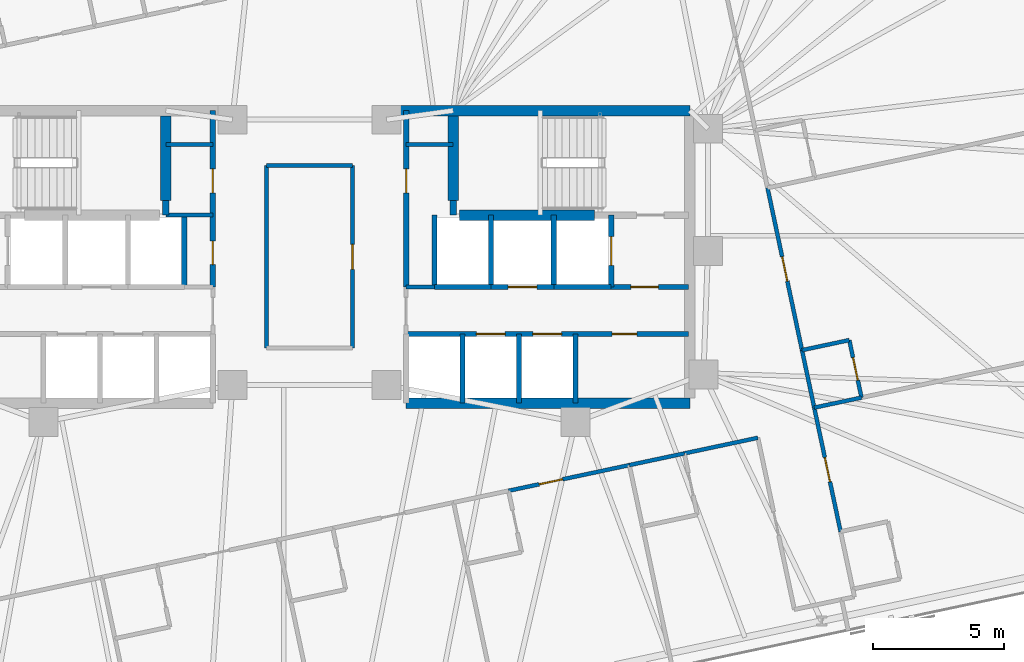
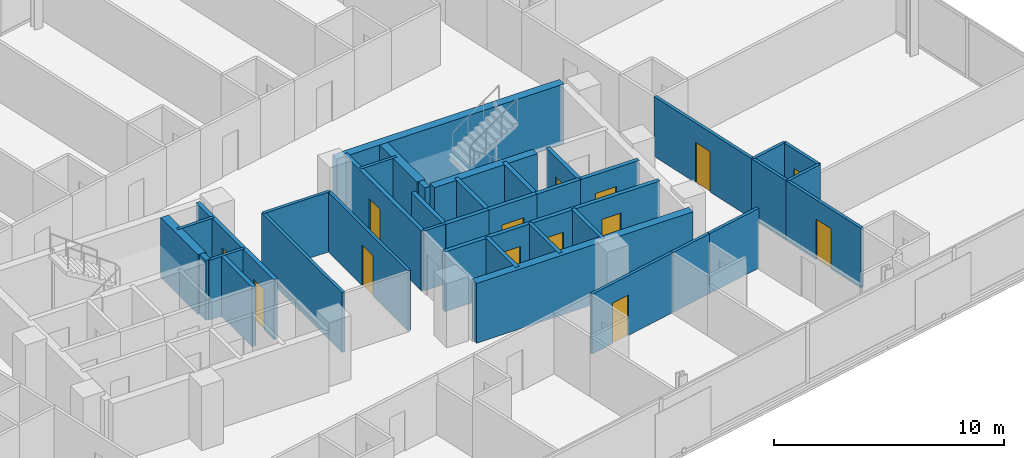
# One storey, part 16 of 20: 38 walls, 14 doors, 14 openings.
"""IFC4 building model written with IfcOpenShell, lengths in metres."""

import ifcopenshell
import ifcopenshell.guid

model = None  # the IFC model being written
_history = None  # IfcOwnerHistory: only IFC2X3 demands one
_inside = {}  # id of a spatial element -> (the spatial element, [elements in it])
_under = {}  # id of a project, library or spatial element -> (it, [spatial elements below it])
_declared = {}  # id of a project -> (the project, [libraries it declares])
_typed = {}  # id of a type object -> (the type object, [elements of that type])
_made_of = {}  # id of a material, layer set ... -> (it, [elements and type objects made of it])


def new_model(schema):
    """Start an empty IFC model of exactly this schema.

    Asked for "IFC4X3", IfcOpenShell would pick the latest addendum, in which some entities
    have other attributes; the version numbers below select the first issue.
    IFC2X3 requires an IfcOwnerHistory on every rooted entity: one is made here for all.
    """
    global model, _history
    if schema == "IFC4X3":
        model = ifcopenshell.file(schema_version=(4, 3, 0, 0))
    else:
        model = ifcopenshell.file(schema=schema)
    _inside.clear()
    _under.clear()
    _declared.clear()
    _typed.clear()
    _made_of.clear()
    _history = None
    if model.schema == "IFC2X3":
        org = make("IfcOrganization", Name="unknown")
        user = make(
            "IfcPersonAndOrganization",
            ThePerson=make("IfcPerson", FamilyName="unknown"),
            TheOrganization=org,
        )
        app = make(
            "IfcApplication",
            ApplicationDeveloper=org,
            Version="unknown",
            ApplicationFullName="unknown",
            ApplicationIdentifier="unknown",
        )
        _history = make(
            "IfcOwnerHistory",
            OwningUser=user,
            OwningApplication=app,
            ChangeAction="ADDED",
            CreationDate=0,
        )
    return model


def make(cls, **values):
    """One entity of the class cls with the attributes given. An attribute that is None is left unset."""
    return model.create_entity(
        cls, **{name: value for name, value in values.items() if value is not None}
    )


def rooted(cls, **values):
    """An entity with a GlobalId (a new one), such as an element, a storey or a relation."""
    return make(cls, GlobalId=ifcopenshell.guid.new(), OwnerHistory=_history, **values)


def si_unit(unit_type, name, prefix=None):
    """IfcSIUnit, for example si_unit("LENGTHUNIT", "METRE", prefix="MILLI")."""
    return make("IfcSIUnit", UnitType=unit_type, Prefix=prefix, Name=name)


def assignment(units):
    """IfcUnitAssignment: the units of a project."""
    return None if units is None else make("IfcUnitAssignment", Units=units)


def point(xyz):
    """IfcCartesianPoint."""
    return None if xyz is None else make("IfcCartesianPoint", Coordinates=xyz)


def direction(xyz):
    """IfcDirection."""
    return None if xyz is None else make("IfcDirection", DirectionRatios=xyz)


def frame(location, z_axis=None, x_axis=None):
    """IfcAxis2Placement3D, a coordinate frame: its origin and axes. An axis left out is left unset."""
    return make(
        "IfcAxis2Placement3D",
        Location=point(location),
        Axis=direction(z_axis),
        RefDirection=direction(x_axis),
    )


def frame_2d(location, x_axis=None):
    """IfcAxis2Placement2D, a coordinate frame in the plane: its origin and x axis."""
    return make(
        "IfcAxis2Placement2D", Location=point(location), RefDirection=direction(x_axis)
    )


def origin():
    """The frame at (0, 0, 0) with its axes left unset."""
    return frame((0.0, 0.0, 0.0))


def place(relative_to, where):
    """IfcLocalPlacement: puts the frame where relative to a parent placement (None: the world)."""
    return make(
        "IfcLocalPlacement", PlacementRelTo=relative_to, RelativePlacement=where
    )


def context(
    kind, dimensions, precision=None, world=None, true_north=None, identifier=None
):
    """IfcGeometricRepresentationContext, for example the 3D "Model" context."""
    return make(
        "IfcGeometricRepresentationContext",
        ContextIdentifier=identifier,
        ContextType=kind,
        CoordinateSpaceDimension=dimensions,
        Precision=precision,
        WorldCoordinateSystem=world,
        TrueNorth=true_north,
    )


def subcontext(parent, identifier, kind, view, scale=None):
    """IfcGeometricRepresentationSubContext, for example "Body" below "Model"."""
    return make(
        "IfcGeometricRepresentationSubContext",
        ContextIdentifier=identifier,
        ContextType=kind,
        ParentContext=parent,
        TargetScale=scale,
        TargetView=view,
    )


def project(units=None, contexts=None):
    """IfcProject with its units and contexts."""
    return rooted(
        "IfcProject",
        Name="project",
        RepresentationContexts=contexts,
        UnitsInContext=assignment(units),
    )


def spatial(cls, under=None, at=None, **own):
    """A site, building, storey or space (cls), placed at a placement, below another one or the project."""
    s = rooted(cls, ObjectPlacement=at, **own)
    if under is not None:
        _under.setdefault(under.id(), (under, []))[1].append(s)
    return s


def profile(cls, at=None, kind="AREA", **sizes):
    """A parametric profile (cls). Its sizes go by their IFC names, for example OverallWidth=200.0."""
    return make(cls, ProfileType=kind, Position=at, **sizes)


def rectangle(**sizes):
    """IfcRectangleProfileDef."""
    return profile("IfcRectangleProfileDef", **sizes)


def extrude(swept, where, along, depth):
    """IfcExtrudedAreaSolid: the profile swept, set in the frame where, extruded along a direction by depth."""
    return make(
        "IfcExtrudedAreaSolid",
        SweptArea=swept,
        Position=where,
        ExtrudedDirection=direction(along),
        Depth=depth,
    )


def shape(context_of_items, identifier, shape_type, items):
    """IfcShapeRepresentation: the items that make up one representation, for example the "Body"."""
    return make(
        "IfcShapeRepresentation",
        ContextOfItems=context_of_items,
        RepresentationIdentifier=identifier,
        RepresentationType=shape_type,
        Items=items,
    )


def material(Name=None, Category=None):
    """IfcMaterial."""
    return make("IfcMaterial", Name=Name, Category=Category)


def layer(
    of_material, thickness, ventilated=None, Name=None, Category=None, Priority=None
):
    """IfcMaterialLayer: one layer of a wall or slab, of a material (None: an air gap)."""
    return make(
        "IfcMaterialLayer",
        Material=of_material,
        LayerThickness=thickness,
        IsVentilated=ventilated,
        Name=Name,
        Category=Category,
        Priority=Priority,
    )


def layer_set(layers, Name=None):
    """IfcMaterialLayerSet."""
    return make("IfcMaterialLayerSet", MaterialLayers=layers, LayerSetName=Name)


def made_of(thing, what):
    """Note that an element or type object is made of a material, layer set ...; save() writes the relation."""
    if what is not None:
        _made_of.setdefault(what.id(), (what, []))[1].append(thing)
    return thing


def type_object(cls, material=None, **own):
    """A type object (cls), such as IfcWallType, which elements share."""
    return made_of(rooted(cls, **own), material)


def element(
    cls,
    number,
    at=None,
    inside=None,
    cuts=None,
    type_object=None,
    material=None,
    context=None,
    identifier="Body",
    shape_type=None,
    held_by="IfcProductDefinitionShape",
    body=None,
    shapes=None,
    **own,
):
    """One element of the class cls, such as IfcWall. Its Tag is "e" and its number.

    at: its placement. inside: the storey or other place that contains it. cuts: it is an
    opening in that element (IfcRelVoidsElement). A single representation is given by context,
    identifier, shape_type and body (its items); several are given by shapes. held_by: the class
    of the entity that holds the representations. save() writes the other relations.
    """
    e = rooted(cls, Tag="e%d" % number, ObjectPlacement=at, **own)
    if body is not None:
        shapes = [shape(context, identifier, shape_type, body)]
    if shapes is not None:
        e.Representation = make(held_by, Representations=shapes)
    if inside is not None:
        _inside.setdefault(inside.id(), (inside, []))[1].append(e)
    if cuts is not None:
        rooted(
            "IfcRelVoidsElement", RelatingBuildingElement=cuts, RelatedOpeningElement=e
        )
    if type_object is not None:
        _typed.setdefault(type_object.id(), (type_object, []))[1].append(e)
    return made_of(e, material)


def fill(opening, filler):
    """IfcRelFillsElement: the door or window that sits in an opening."""
    return rooted(
        "IfcRelFillsElement",
        RelatingOpeningElement=opening,
        RelatedBuildingElement=filler,
    )


def aggregate(whole, parts):
    """IfcRelAggregates: a whole, such as a stair, and the parts it consists of."""
    return rooted("IfcRelAggregates", RelatingObject=whole, RelatedObjects=parts)


def save(model, path):
    """Write the relations noted so far, then the file.

    IfcRelAggregates (storeys below a building ...), IfcRelContainedInSpatialStructure (elements
    in a storey), IfcRelDefinesByType, IfcRelAssociatesMaterial and IfcRelDeclares: one each for
    every whole, place, type object, material and project.
    """
    for whole, parts in _under.values():
        aggregate(whole, parts)
    for where, things in _inside.values():
        rooted(
            "IfcRelContainedInSpatialStructure",
            RelatedElements=things,
            RelatingStructure=where,
        )
    for kind, things in _typed.values():
        rooted("IfcRelDefinesByType", RelatedObjects=things, RelatingType=kind)
    for what, things in _made_of.values():
        rooted("IfcRelAssociatesMaterial", RelatedObjects=things, RelatingMaterial=what)
    for by, libraries in _declared.values():
        rooted("IfcRelDeclares", RelatingContext=by, RelatedDefinitions=libraries)
    model.write(path)


model = new_model("IFC4")

# Units and contexts
model_context = context("Model", 3, precision=1e-05, world=origin(), true_north=direction((0.0, 1.0)))
body_context = subcontext(model_context, "Body", "Model", "MODEL_VIEW")
ifc_project = project(units=[si_unit("LENGTHUNIT", "METRE"), si_unit("AREAUNIT", "SQUARE_METRE"), si_unit("VOLUMEUNIT", "CUBIC_METRE"), si_unit("PLANEANGLEUNIT", "RADIAN"), si_unit("MASSUNIT", "GRAM", prefix="KILO")], contexts=[model_context])

# Site, building, storey
site_placement = place(None, origin())
site = spatial("IfcSite", under=ifc_project, at=site_placement, CompositionType="ELEMENT")
building_placement = place(site_placement, origin())
building = spatial("IfcBuilding", under=site, at=building_placement, Name="Menara Jurai Vektor", CompositionType="ELEMENT")
storey_placement = place(building_placement, frame((0.0, 0.0, 158.199951171875)))
storey = spatial("IfcBuildingStorey", under=building, at=storey_placement, Name="L40", CompositionType="ELEMENT", Elevation=158.199951171875)

# Walls
ifc_material_1 = material(Name="Concrete C40/50", Category="concrete")
ifc_layer_1 = layer(ifc_material_1, 0.25)
ifc_layer_set_1 = layer_set([ifc_layer_1], Name="Concrete C40/50")
wall_type_1 = type_object("IfcWallType", Name="INT-WALL-CORE-250", PredefinedType="STANDARD", material=ifc_layer_set_1)
for number, where, z_axis, x_axis, name in (
    (1, (-5.5, 1.60009765625, 0.0), (0.0, 0.0, 1.0), (0.0, 1.0, 0.0), "Interior Wall IW-250 L40"),
    (2, (5.5, 1.60009765625, 0.0), (0.0, 0.0, 1.0), (0.0, 1.0, 0.0), "Interior Wall IW-250 L40"),
):
    element("IfcWall", number, at=place(storey_placement, frame(where, z_axis=z_axis, x_axis=x_axis)), inside=storey, type_object=wall_type_1, Name=name, PredefinedType="STANDARD", context=body_context, shape_type="SweptSolid", body=[
        extrude(rectangle(XDim=0.5498046875, YDim=0.25, at=frame_2d((0.27490234375, 0.0))), origin(), (0.0, 0.0, 1.0), 3.175048828125),
    ])

# Wall, opening, door
wall_1_placement = place(storey_placement, frame((11.550048828125, -1.14990234375, 0.0), z_axis=(0.0, 0.0, 1.0), x_axis=(0.0, 1.0, 0.0)))
wall_1 = element("IfcWall", 3, at=wall_1_placement, inside=storey, type_object=wall_type_1, Name="Interior Wall IW-250 L40", PredefinedType="STANDARD", context=body_context, shape_type="SweptSolid", body=[
    extrude(rectangle(XDim=2.75, YDim=0.199951171875, at=frame_2d((1.375, 0.0))), origin(), (0.0, 0.0, 1.0), 3.175048828125),
])
opening_1_placement = place(wall_1_placement, frame((0.824951171875, 0.0, 0.0)))
opening_1 = element("IfcOpeningElement", 4, at=opening_1_placement, cuts=wall_1, Name="Opening LD-L40-FL2", PredefinedType="OPENING", context=body_context, shape_type="SweptSolid", body=[
    extrude(rectangle(XDim=1.10009765625, YDim=2.14990234375, at=frame_2d((0.550048828125, 1.074951171875))), frame((0.0, 0.10986328125, 0.0), z_axis=(0.0, -1.0, 0.0), x_axis=(1.0, 0.0, 0.0)), (0.0, 0.0, 1.0), 0.219970703125),
])
ifc_material_2 = material(Name="Stainless Steel Sliding Lift Landing Door", Category="steel")
door_type_1 = type_object("IfcDoorType", Name="DR-LIFT-FIRE-1100", OperationType="NOTDEFINED", PredefinedType="DOOR", material=ifc_material_2)
door_1_placement = place(opening_1_placement, origin())
door_1 = element("IfcDoor", 5, at=door_1_placement, inside=storey, type_object=door_type_1, Name="Lift Landing Door FL2 L40", OperationType="SLIDING_TO_RIGHT", OverallHeight=2.14990234375, OverallWidth=1.10009765625, PredefinedType="DOOR", context=body_context, shape_type="SweptSolid", body=[
    extrude(rectangle(XDim=1.10009765625, YDim=2.14990234375, at=frame_2d((0.550048828125, 1.074951171875))), frame((0.0, 0.02490234375, 0.0), z_axis=(0.0, -1.0, 0.0), x_axis=(1.0, 0.0, 0.0)), (0.0, 0.0, 1.0), 0.050048828125),
])
fill(opening_1, door_1)

# Wall
wall_2_placement = place(storey_placement, frame((9.35009765625, -1.14990234375, 0.0), z_axis=(0.0, 0.0, 1.0), x_axis=(0.0, 1.0, 0.0)))
element("IfcWall", 6, at=wall_2_placement, inside=storey, type_object=wall_type_1, Name="Interior Wall IW-250 L40", PredefinedType="STANDARD", context=body_context, shape_type="SweptSolid", body=[
    extrude(rectangle(XDim=2.75, YDim=0.199951171875, at=frame_2d((1.375, 0.0))), origin(), (0.0, 0.0, 1.0), 3.175048828125),
])

# Wall, opening, door
wall_3_placement = place(storey_placement, frame((11.550048828125, -1.14990234375, 0.0), z_axis=(0.0, 0.0, 1.0), x_axis=(1.0, 0.0, 0.0)))
wall_3 = element("IfcWall", 7, at=wall_3_placement, inside=storey, type_object=wall_type_1, Name="Interior Wall IW-250 L40", PredefinedType="STANDARD", context=body_context, shape_type="SweptSolid", body=[
    extrude(rectangle(XDim=2.949951171875, YDim=0.199951171875, at=frame_2d((1.47509765625, 0.0))), origin(), (0.0, 0.0, 1.0), 3.175048828125),
])
opening_2_placement = place(wall_3_placement, frame((0.75, 0.0, 0.0)))
opening_2 = element("IfcOpeningElement", 8, at=opening_2_placement, cuts=wall_3, Name="Opening D-L40-FFE", PredefinedType="OPENING", context=body_context, shape_type="SweptSolid", body=[
    extrude(rectangle(XDim=1.050048828125, YDim=2.179931640625, at=frame_2d((0.52490234375, 1.08984375))), frame((0.0, 0.10986328125, 0.0), z_axis=(0.0, -1.0, 0.0), x_axis=(1.0, 0.0, 0.0)), (0.0, 0.0, 1.0), 0.219970703125),
])
ifc_material_3 = material(Name="Fire-Rated Timber Door", Category="wood")
door_type_2 = type_object("IfcDoorType", Name="DR-LOBBY-1050", OperationType="NOTDEFINED", PredefinedType="DOOR", material=ifc_material_3)
door_2_placement = place(opening_2_placement, origin())
door_2 = element("IfcDoor", 9, at=door_2_placement, inside=storey, type_object=door_type_2, Name="Fire Lift Lobby Door E L40", OperationType="SINGLE_SWING_LEFT", OverallHeight=2.179931640625, OverallWidth=1.050048828125, PredefinedType="DOOR", context=body_context, shape_type="SweptSolid", body=[
    extrude(rectangle(XDim=1.050048828125, YDim=2.179931640625, at=frame_2d((0.52490234375, 1.08984375))), frame((0.0, 0.02490234375, 0.0), z_axis=(0.0, -1.0, 0.0), x_axis=(1.0, 0.0, 0.0)), (0.0, 0.0, 1.0), 0.050048828125),
])
fill(opening_2, door_2)

# Walls
wall_4_placement = place(storey_placement, frame((9.35009765625, -1.14990234375, 0.0), z_axis=(0.0, 0.0, 1.0), x_axis=(1.0, 0.0, 0.0)))
element("IfcWall", 10, at=wall_4_placement, inside=storey, type_object=wall_type_1, Name="Interior Wall IW-250 L40", PredefinedType="STANDARD", context=body_context, shape_type="SweptSolid", body=[
    extrude(rectangle(XDim=2.199951171875, YDim=0.199951171875, at=frame_2d((1.10009765625, 0.0))), origin(), (0.0, 0.0, 1.0), 3.175048828125),
])
ifc_material_4 = material(Name="Gypsum Fireboard Partition", Category="gypsum")
ifc_layer_2 = layer(ifc_material_4, 0.14990234375)
ifc_layer_set_2 = layer_set([ifc_layer_2], Name="Gypsum Fireboard Partition")
wall_type_2 = type_object("IfcWallType", Name="INT-WALL-CORR-150", PredefinedType="PARTITIONING", material=ifc_layer_set_2)
wall_5_placement = place(storey_placement, frame((3.699951171875, -1.14990234375, 0.0), z_axis=(0.0, 0.0, 1.0), x_axis=(1.0, 0.0, 0.0)))
element("IfcWall", 11, at=wall_5_placement, inside=storey, type_object=wall_type_2, Name="Interior Wall IW-150 L40", PredefinedType="PARTITIONING", context=body_context, shape_type="SweptSolid", body=[
    extrude(rectangle(XDim=1.090087890625, YDim=0.14990234375, at=frame_2d((0.544921875, 0.0))), origin(), (0.0, 0.0, 1.0), 3.175048828125),
])
for number, where, z_axis, x_axis, name in (
    (12, (-5.5, 4.300048828125, 0.0), (0.0, 0.0, 1.0), (1.0, 0.0, 0.0), "Interior Wall IW-150 L40"),
    (13, (-5.5, 1.60009765625, 0.0), (0.0, 0.0, 1.0), (1.0, 0.0, 0.0), "Interior Wall IW-150 L40"),
    (14, (3.699951171875, 4.300048828125, 0.0), (0.0, 0.0, 1.0), (1.0, 0.0, 0.0), "Interior Wall IW-150 L40"),
):
    element("IfcWall", number, at=place(storey_placement, frame(where, z_axis=z_axis, x_axis=x_axis)), inside=storey, type_object=wall_type_2, Name=name, PredefinedType="PARTITIONING", context=body_context, shape_type="SweptSolid", body=[
        extrude(rectangle(XDim=1.800048828125, YDim=0.14990234375, at=frame_2d((0.89990234375, 0.0))), origin(), (0.0, 0.0, 1.0), 3.175048828125),
    ])
wall_6_placement = place(storey_placement, frame((-1.64990234375, -3.489501953125, 0.0), z_axis=(0.0, 0.0, 1.0), x_axis=(-3.4979712e-05, 0.999999999388, 0.0)))
element("IfcWall", 15, at=wall_6_placement, inside=storey, type_object=wall_type_2, Name="Interior Wall IW-150 L40", PredefinedType="PARTITIONING", context=body_context, shape_type="SweptSolid", body=[
    extrude(rectangle(XDim=6.9794921875, YDim=0.14990234375, at=frame_2d((3.48974609375, 0.0))), origin(), (0.0, 0.0, 1.0), 3.175048828125),
])
wall_7_placement = place(storey_placement, frame((-1.650146484375, 3.489990234375, 0.0), z_axis=(0.0, 0.0, 1.0), x_axis=(1.0, 0.0, 0.0)))
element("IfcWall", 16, at=wall_7_placement, inside=storey, type_object=wall_type_2, Name="Interior Wall IW-150 L40", PredefinedType="PARTITIONING", context=body_context, shape_type="SweptSolid", body=[
    extrude(rectangle(XDim=3.300048828125, YDim=0.14990234375, at=frame_2d((1.64990234375, 0.0))), origin(), (0.0, 0.0, 1.0), 3.175048828125),
])

# Wall, opening, door
wall_8_placement = place(storey_placement, frame((1.650390625, -3.490234375, 0.0), z_axis=(0.0, 0.0, 1.0), x_axis=(-6.9952083e-05, 0.999999997553, 0.0)))
wall_8 = element("IfcWall", 17, at=wall_8_placement, inside=storey, type_object=wall_type_2, Name="Interior Wall IW-150 L40", PredefinedType="PARTITIONING", context=body_context, shape_type="SweptSolid", body=[
    extrude(rectangle(XDim=6.980224609375, YDim=0.14990234375, at=frame_2d((3.490234375, 0.0))), origin(), (0.0, 0.0, 1.0), 3.175048828125),
])
opening_3_placement = place(wall_8_placement, frame((3.01513671875, 0.0, 0.0)))
opening_3 = element("IfcOpeningElement", 18, at=opening_3_placement, cuts=wall_8, Name="Opening D40-06", PredefinedType="OPENING", context=body_context, shape_type="SweptSolid", body=[
    extrude(rectangle(XDim=0.949951171875, YDim=2.14990234375, at=frame_2d((0.47509765625, 1.074951171875))), frame((0.0, 0.0849609375, 0.0), z_axis=(0.0, -1.0, 0.0), x_axis=(1.0, 0.0, 0.0)), (0.0, 0.0, 1.0), 0.169921875),
])
ifc_material_5 = material(Name="Solid Core Timber Fire Door", Category="wood")
door_type_3 = type_object("IfcDoorType", Name="DR-ENTRY-950", OperationType="NOTDEFINED", PredefinedType="DOOR", material=ifc_material_5)
door_3_placement = place(opening_3_placement, origin())
door_3 = element("IfcDoor", 19, at=door_3_placement, inside=storey, type_object=door_type_3, Name="Interior Door D40-06", OperationType="SINGLE_SWING_LEFT", OverallHeight=2.14990234375, OverallWidth=0.949951171875, PredefinedType="DOOR", context=body_context, shape_type="SweptSolid", body=[
    extrude(rectangle(XDim=0.949951171875, YDim=2.14990234375, at=frame_2d((0.47509765625, 1.074951171875))), frame((0.0, 0.02490234375, 0.0), z_axis=(0.0, -1.0, 0.0), x_axis=(1.0, 0.0, 0.0)), (0.0, 0.0, 1.0), 0.050048828125),
])
fill(opening_3, door_3)

wall_9_placement = place(storey_placement, frame((7.61767578125, -8.9541015625, 0.0), z_axis=(0.0, 0.0, 1.0), x_axis=(0.978140347221, 0.207945812984, 0.0)))
wall_9 = element("IfcWall", 20, at=wall_9_placement, inside=storey, type_object=wall_type_2, Name="Interior Wall IW-150 L40", PredefinedType="PARTITIONING", context=body_context, shape_type="SweptSolid", body=[
    extrude(rectangle(XDim=4.72900390625, YDim=0.14990234375, at=frame_2d((2.364501953125, 0.0))), origin(), (0.0, 0.0, 1.0), 3.175048828125),
])
opening_4_placement = place(wall_9_placement, frame((1.1953125, 0.0, 0.0)))
opening_4 = element("IfcOpeningElement", 21, at=opening_4_placement, cuts=wall_9, Name="Opening D40-23", PredefinedType="OPENING", context=body_context, shape_type="SweptSolid", body=[
    extrude(rectangle(XDim=0.919921875, YDim=2.14990234375, at=frame_2d((0.4599609375, 1.074951171875))), frame((0.0, 0.0849609375, 0.0), z_axis=(0.0, -1.0, 0.0), x_axis=(1.0, 0.0, 0.0)), (0.0, 0.0, 1.0), 0.169921875),
])
door_4_placement = place(opening_4_placement, origin())
door_4 = element("IfcDoor", 22, at=door_4_placement, inside=storey, type_object=door_type_3, Name="Interior Door D40-23", OperationType="SINGLE_SWING_RIGHT", OverallHeight=2.14990234375, OverallWidth=0.919921875, PredefinedType="DOOR", context=body_context, shape_type="SweptSolid", body=[
    extrude(rectangle(XDim=0.919921875, YDim=2.14990234375, at=frame_2d((0.4599609375, 1.074951171875))), frame((0.0, 0.02490234375, 0.0), z_axis=(0.0, -1.0, 0.0), x_axis=(1.0, 0.0, 0.0)), (0.0, 0.0, 1.0), 0.050048828125),
])
fill(opening_4, door_4)

# Walls
wall_10_placement = place(storey_placement, frame((14.346435546875, -7.523681640625, 0.0), z_axis=(0.0, 0.0, 1.0), x_axis=(0.97816208355, 0.207843542851, 0.0)))
element("IfcWall", 23, at=wall_10_placement, inside=storey, type_object=wall_type_2, Name="Interior Wall IW-150 L40", PredefinedType="PARTITIONING", context=body_context, shape_type="SweptSolid", body=[
    extrude(rectangle(XDim=2.879150390625, YDim=0.14990234375, at=frame_2d((1.439453125, 0.0))), origin(), (0.0, 0.0, 1.0), 3.175048828125),
])
wall_11_placement = place(storey_placement, frame((12.243408203125, -7.970703125, 0.0), z_axis=(0.0, 0.0, 1.0), x_axis=(0.978146728319, 0.207915795165, 0.0)))
element("IfcWall", 24, at=wall_11_placement, inside=storey, type_object=wall_type_2, Name="Interior Wall IW-150 L40", PredefinedType="PARTITIONING", context=body_context, shape_type="SweptSolid", body=[
    extrude(rectangle(XDim=2.14990234375, YDim=0.14990234375, at=frame_2d((1.074951171875, 0.0))), origin(), (0.0, 0.0, 1.0), 3.175048828125),
])

# Wall, opening, door
wall_12_placement = place(storey_placement, frame((20.328125, -10.515380859375, 0.0), z_axis=(0.0, 0.0, 1.0), x_axis=(-0.207950868925, 0.97813927235, 0.0)))
wall_12 = element("IfcWall", 25, at=wall_12_placement, inside=storey, type_object=wall_type_2, Name="Interior Wall IW-150 L40", PredefinedType="PARTITIONING", context=body_context, shape_type="SweptSolid", body=[
    extrude(rectangle(XDim=4.849853515625, YDim=0.14990234375, at=frame_2d((2.4248046875, 0.0))), origin(), (0.0, 0.0, 1.0), 3.175048828125),
])
opening_5_placement = place(wall_12_placement, frame((1.949951171875, 0.0, 0.0)))
opening_5 = element("IfcOpeningElement", 26, at=opening_5_placement, cuts=wall_12, Name="Opening D40-37", PredefinedType="OPENING", context=body_context, shape_type="SweptSolid", body=[
    extrude(rectangle(XDim=0.949951171875, YDim=2.14990234375, at=frame_2d((0.47509765625, 1.074951171875))), frame((0.0, 0.0849609375, 0.0), z_axis=(0.0, -1.0, 0.0), x_axis=(1.0, 0.0, 0.0)), (0.0, 0.0, 1.0), 0.169921875),
])
door_5_placement = place(opening_5_placement, origin())
door_5 = element("IfcDoor", 27, at=door_5_placement, inside=storey, type_object=door_type_3, Name="Interior Door D40-37", OperationType="SINGLE_SWING_RIGHT", OverallHeight=2.14990234375, OverallWidth=0.949951171875, PredefinedType="DOOR", context=body_context, shape_type="SweptSolid", body=[
    extrude(rectangle(XDim=0.949951171875, YDim=2.14990234375, at=frame_2d((0.47509765625, 1.074951171875))), frame((0.0, 0.02490234375, 0.0), z_axis=(0.0, -1.0, 0.0), x_axis=(1.0, 0.0, 0.0)), (0.0, 0.0, 1.0), 0.050048828125),
])
fill(opening_5, door_5)

wall_13_placement = place(storey_placement, frame((18.851806640625, -3.57080078125, 0.0), z_axis=(0.0, 0.0, 1.0), x_axis=(-0.207879907349, 0.978154355979, 0.0)))
wall_13 = element("IfcWall", 28, at=wall_13_placement, inside=storey, type_object=wall_type_2, Name="Interior Wall IW-150 L40", PredefinedType="PARTITIONING", context=body_context, shape_type="SweptSolid", body=[
    extrude(rectangle(XDim=6.35009765625, YDim=0.14990234375, at=frame_2d((3.175048828125, 0.0))), origin(), (0.0, 0.0, 1.0), 3.175048828125),
])
opening_6_placement = place(wall_13_placement, frame((2.699951171875, 0.0, 0.0)))
opening_6 = element("IfcOpeningElement", 29, at=opening_6_placement, cuts=wall_13, Name="Opening D40-39", PredefinedType="OPENING", context=body_context, shape_type="SweptSolid", body=[
    extrude(rectangle(XDim=0.949951171875, YDim=2.14990234375, at=frame_2d((0.47509765625, 1.074951171875))), frame((0.0, 0.0849609375, 0.0), z_axis=(0.0, -1.0, 0.0), x_axis=(1.0, 0.0, 0.0)), (0.0, 0.0, 1.0), 0.169921875),
])
door_6_placement = place(opening_6_placement, origin())
door_6 = element("IfcDoor", 30, at=door_6_placement, inside=storey, type_object=door_type_3, Name="Interior Door D40-39", OperationType="SINGLE_SWING_RIGHT", OverallHeight=2.14990234375, OverallWidth=0.949951171875, PredefinedType="DOOR", context=body_context, shape_type="SweptSolid", body=[
    extrude(rectangle(XDim=0.949951171875, YDim=2.14990234375, at=frame_2d((0.47509765625, 1.074951171875))), frame((0.0, 0.02490234375, 0.0), z_axis=(0.0, -1.0, 0.0), x_axis=(1.0, 0.0, 0.0)), (0.0, 0.0, 1.0), 0.050048828125),
])
fill(opening_6, door_6)

# Walls
wall_14_placement = place(storey_placement, frame((19.319580078125, -5.771484375, 0.0), z_axis=(0.0, 0.0, 1.0), x_axis=(-0.207913264065, 0.978147266328, 0.0)))
element("IfcWall", 31, at=wall_14_placement, inside=storey, type_object=wall_type_2, Name="Interior Wall IW-150 L40", PredefinedType="PARTITIONING", context=body_context, shape_type="SweptSolid", body=[
    extrude(rectangle(XDim=2.249755859375, YDim=0.14990234375, at=frame_2d((1.125, 0.0))), origin(), (0.0, 0.0, 1.0), 3.175048828125),
])
wall_15_placement = place(storey_placement, frame((19.319580078125, -5.771484375, 0.0), z_axis=(0.0, 0.0, 1.0), x_axis=(0.978165892835, 0.207825614625, 0.0)))
element("IfcWall", 32, at=wall_15_placement, inside=storey, type_object=wall_type_2, Name="Interior Wall IW-150 L40", PredefinedType="PARTITIONING", context=body_context, shape_type="SweptSolid", body=[
    extrude(rectangle(XDim=1.85009765625, YDim=0.14990234375, at=frame_2d((0.925048828125, 0.0))), origin(), (0.0, 0.0, 1.0), 3.175048828125),
])
wall_16_placement = place(storey_placement, frame((18.851806640625, -3.57080078125, 0.0), z_axis=(0.0, 0.0, 1.0), x_axis=(0.978139061018, 0.207951862966, 0.0)))
element("IfcWall", 33, at=wall_16_placement, inside=storey, type_object=wall_type_2, Name="Interior Wall IW-150 L40", PredefinedType="PARTITIONING", context=body_context, shape_type="SweptSolid", body=[
    extrude(rectangle(XDim=1.850341796875, YDim=0.14990234375, at=frame_2d((0.92529296875, 0.0))), origin(), (0.0, 0.0, 1.0), 3.175048828125),
])

# Wall, opening, door
wall_17_placement = place(storey_placement, frame((21.12939453125, -5.386962890625, 0.0), z_axis=(0.0, 0.0, 1.0), x_axis=(-0.207891197838, 0.978151956427, 0.0)))
wall_17 = element("IfcWall", 34, at=wall_17_placement, inside=storey, type_object=wall_type_2, Name="Interior Wall IW-150 L40", PredefinedType="PARTITIONING", context=body_context, shape_type="SweptSolid", body=[
    extrude(rectangle(XDim=2.25, YDim=0.14990234375, at=frame_2d((1.125, 0.0))), origin(), (0.0, 0.0, 1.0), 3.175048828125),
])
opening_7_placement = place(wall_17_placement, frame((0.68505859375, 0.0, 0.0)))
opening_7 = element("IfcOpeningElement", 35, at=opening_7_placement, cuts=wall_17, Name="Opening D40-40", PredefinedType="OPENING", context=body_context, shape_type="SweptSolid", body=[
    extrude(rectangle(XDim=0.8798828125, YDim=2.14990234375, at=frame_2d((0.43994140625, 1.074951171875))), frame((0.0, 0.0849609375, 0.0), z_axis=(0.0, -1.0, 0.0), x_axis=(1.0, 0.0, 0.0)), (0.0, 0.0, 1.0), 0.169921875),
])
ifc_material_6 = material(Name="Moisture-Resistant Timber Door", Category="wood")
door_type_4 = type_object("IfcDoorType", Name="DR-BATH-880", OperationType="NOTDEFINED", PredefinedType="DOOR", material=ifc_material_6)
door_7_placement = place(opening_7_placement, origin())
door_7 = element("IfcDoor", 36, at=door_7_placement, inside=storey, type_object=door_type_4, Name="Interior Door D40-40", OperationType="SINGLE_SWING_LEFT", OverallHeight=2.14990234375, OverallWidth=0.8798828125, PredefinedType="DOOR", context=body_context, shape_type="SweptSolid", body=[
    extrude(rectangle(XDim=0.8798828125, YDim=2.14990234375, at=frame_2d((0.43994140625, 1.074951171875))), frame((0.0, 0.02490234375, 0.0), z_axis=(0.0, -1.0, 0.0), x_axis=(1.0, 0.0, 0.0)), (0.0, 0.0, 1.0), 0.050048828125),
])
fill(opening_7, door_7)

# Wall, openings, doors
ifc_layer_3 = layer(ifc_material_1, 0.199951171875)
ifc_layer_set_3 = layer_set([ifc_layer_3], Name="Concrete C40/50")
wall_type_3 = type_object("IfcWallType", Name="INT-WALL-SHAFT-200", PredefinedType="STANDARD", material=ifc_layer_set_3)
wall_18_placement = place(storey_placement, frame((-3.699951171875, -1.14990234375, 0.0), z_axis=(0.0, 0.0, 1.0), x_axis=(0.0, 1.0, 0.0)))
wall_18 = element("IfcWall", 37, at=wall_18_placement, inside=storey, type_object=wall_type_3, Name="Interior Wall IW-200 L40", PredefinedType="STANDARD", context=body_context, shape_type="SweptSolid", body=[
    extrude(rectangle(XDim=6.75, YDim=0.199951171875, at=frame_2d((3.375, 0.0))), origin(), (0.0, 0.0, 1.0), 3.175048828125),
])
opening_8_placement = place(wall_18_placement, frame((3.60009765625, 0.0, 0.0)))
opening_8 = element("IfcOpeningElement", 38, at=opening_8_placement, cuts=wall_18, Name="Opening D40-02", PredefinedType="OPENING", context=body_context, shape_type="SweptSolid", body=[
    extrude(rectangle(XDim=0.919921875, YDim=2.14990234375, at=frame_2d((0.4599609375, 1.074951171875))), frame((0.0, 0.10986328125, 0.0), z_axis=(0.0, -1.0, 0.0), x_axis=(1.0, 0.0, 0.0)), (0.0, 0.0, 1.0), 0.219970703125),
])
opening_9_placement = place(wall_18_placement, frame((0.85009765625, 0.0, 0.0)))
opening_9 = element("IfcOpeningElement", 39, at=opening_9_placement, cuts=wall_18, Name="Opening D40-03", PredefinedType="OPENING", context=body_context, shape_type="SweptSolid", body=[
    extrude(rectangle(XDim=0.89990234375, YDim=2.14990234375, at=frame_2d((0.449951171875, 1.074951171875))), frame((0.0, 0.10986328125, 0.0), z_axis=(0.0, -1.0, 0.0), x_axis=(1.0, 0.0, 0.0)), (0.0, 0.0, 1.0), 0.219970703125),
])
door_8_placement = place(opening_8_placement, origin())
door_8 = element("IfcDoor", 40, at=door_8_placement, inside=storey, type_object=door_type_3, Name="Interior Door D40-02", OperationType="SINGLE_SWING_LEFT", OverallHeight=2.14990234375, OverallWidth=0.919921875, PredefinedType="DOOR", context=body_context, shape_type="SweptSolid", body=[
    extrude(rectangle(XDim=0.919921875, YDim=2.14990234375, at=frame_2d((0.4599609375, 1.074951171875))), frame((0.0, 0.02490234375, 0.0), z_axis=(0.0, -1.0, 0.0), x_axis=(1.0, 0.0, 0.0)), (0.0, 0.0, 1.0), 0.050048828125),
])
fill(opening_8, door_8)
door_9_placement = place(opening_9_placement, origin())
door_9 = element("IfcDoor", 41, at=door_9_placement, inside=storey, type_object=door_type_3, Name="Interior Door D40-03", OperationType="SINGLE_SWING_LEFT", OverallHeight=2.14990234375, OverallWidth=0.89990234375, PredefinedType="DOOR", context=body_context, shape_type="SweptSolid", body=[
    extrude(rectangle(XDim=0.89990234375, YDim=2.14990234375, at=frame_2d((0.449951171875, 1.074951171875))), frame((0.0, 0.02490234375, 0.0), z_axis=(0.0, -1.0, 0.0), x_axis=(1.0, 0.0, 0.0)), (0.0, 0.0, 1.0), 0.050048828125),
])
fill(opening_9, door_9)

# Wall
wall_19_placement = place(storey_placement, frame((-4.7900390625, -1.14990234375, 0.0), z_axis=(0.0, 0.0, 1.0), x_axis=(0.0, 1.0, 0.0)))
element("IfcWall", 42, at=wall_19_placement, inside=storey, type_object=wall_type_3, Name="Interior Wall IW-200 L40", PredefinedType="STANDARD", context=body_context, shape_type="SweptSolid", body=[
    extrude(rectangle(XDim=2.75, YDim=0.199951171875, at=frame_2d((1.375, 0.0))), origin(), (0.0, 0.0, 1.0), 3.175048828125),
])

# Wall, opening, door
wall_20_placement = place(storey_placement, frame((3.699951171875, -1.14990234375, 0.0), z_axis=(0.0, 0.0, 1.0), x_axis=(0.0, 1.0, 0.0)))
wall_20 = element("IfcWall", 43, at=wall_20_placement, inside=storey, type_object=wall_type_3, Name="Interior Wall IW-200 L40", PredefinedType="STANDARD", context=body_context, shape_type="SweptSolid", body=[
    extrude(rectangle(XDim=6.75, YDim=0.199951171875, at=frame_2d((3.375, 0.0))), origin(), (0.0, 0.0, 1.0), 3.175048828125),
])
opening_10_placement = place(wall_20_placement, frame((3.60009765625, 0.0, 0.0)))
opening_10 = element("IfcOpeningElement", 44, at=opening_10_placement, cuts=wall_20, Name="Opening D40-05", PredefinedType="OPENING", context=body_context, shape_type="SweptSolid", body=[
    extrude(rectangle(XDim=0.919921875, YDim=2.14990234375, at=frame_2d((0.4599609375, 1.074951171875))), frame((0.0, 0.10986328125, 0.0), z_axis=(0.0, -1.0, 0.0), x_axis=(1.0, 0.0, 0.0)), (0.0, 0.0, 1.0), 0.219970703125),
])
door_10_placement = place(opening_10_placement, origin())
door_10 = element("IfcDoor", 45, at=door_10_placement, inside=storey, type_object=door_type_3, Name="Interior Door D40-05", OperationType="SINGLE_SWING_RIGHT", OverallHeight=2.14990234375, OverallWidth=0.919921875, PredefinedType="DOOR", context=body_context, shape_type="SweptSolid", body=[
    extrude(rectangle(XDim=0.919921875, YDim=2.14990234375, at=frame_2d((0.4599609375, 1.074951171875))), frame((0.0, 0.02490234375, 0.0), z_axis=(0.0, -1.0, 0.0), x_axis=(1.0, 0.0, 0.0)), (0.0, 0.0, 1.0), 0.050048828125),
])
fill(opening_10, door_10)

# Wall
wall_21_placement = place(storey_placement, frame((6.949951171875, -1.14990234375, 0.0), z_axis=(0.0, 0.0, 1.0), x_axis=(0.0, 1.0, 0.0)))
element("IfcWall", 46, at=wall_21_placement, inside=storey, type_object=wall_type_3, Name="Interior Wall IW-200 L40", PredefinedType="STANDARD", context=body_context, shape_type="SweptSolid", body=[
    extrude(rectangle(XDim=2.75, YDim=0.199951171875, at=frame_2d((1.375, 0.0))), origin(), (0.0, 0.0, 1.0), 3.175048828125),
])

# Wall, opening, door
wall_22_placement = place(storey_placement, frame((6.949951171875, -1.14990234375, 0.0), z_axis=(0.0, 0.0, 1.0), x_axis=(1.0, 0.0, 0.0)))
wall_22 = element("IfcWall", 47, at=wall_22_placement, inside=storey, type_object=wall_type_3, Name="Interior Wall IW-200 L40", PredefinedType="STANDARD", context=body_context, shape_type="SweptSolid", body=[
    extrude(rectangle(XDim=2.400146484375, YDim=0.199951171875, at=frame_2d((1.2001953125, 0.0))), origin(), (0.0, 0.0, 1.0), 3.175048828125),
])
opening_11_placement = place(wall_22_placement, frame((0.64990234375, 0.0, 0.0)))
opening_11 = element("IfcOpeningElement", 48, at=opening_11_placement, cuts=wall_22, Name="Opening LD-L40-SVL2", PredefinedType="OPENING", context=body_context, shape_type="SweptSolid", body=[
    extrude(rectangle(XDim=1.10009765625, YDim=2.14990234375, at=frame_2d((0.550048828125, 1.074951171875))), frame((0.0, 0.10986328125, 0.0), z_axis=(0.0, -1.0, 0.0), x_axis=(1.0, 0.0, 0.0)), (0.0, 0.0, 1.0), 0.219970703125),
])
ifc_material_7 = material(Name="Anodised Stainless Sliding Lift Landing Door", Category="steel")
door_type_5 = type_object("IfcDoorType", Name="DR-LIFT-PASS-1100", OperationType="NOTDEFINED", PredefinedType="DOOR", material=ifc_material_7)
door_11_placement = place(opening_11_placement, origin())
door_11 = element("IfcDoor", 49, at=door_11_placement, inside=storey, type_object=door_type_5, Name="Lift Landing Door SVL2 L40", OperationType="SLIDING_TO_RIGHT", OverallHeight=2.14990234375, OverallWidth=1.10009765625, PredefinedType="DOOR", context=body_context, shape_type="SweptSolid", body=[
    extrude(rectangle(XDim=1.10009765625, YDim=2.14990234375, at=frame_2d((0.550048828125, 1.074951171875))), frame((0.0, 0.02490234375, 0.0), z_axis=(0.0, -1.0, 0.0), x_axis=(1.0, 0.0, 0.0)), (0.0, 0.0, 1.0), 0.050048828125),
])
fill(opening_11, door_11)

# Walls
wall_23_placement = place(storey_placement, frame((4.7900390625, -1.14990234375, 0.0), z_axis=(0.0, 0.0, 1.0), x_axis=(0.0, 1.0, 0.0)))
element("IfcWall", 50, at=wall_23_placement, inside=storey, type_object=wall_type_3, Name="Interior Wall IW-200 L40", PredefinedType="STANDARD", context=body_context, shape_type="SweptSolid", body=[
    extrude(rectangle(XDim=2.75, YDim=0.199951171875, at=frame_2d((1.375, 0.0))), origin(), (0.0, 0.0, 1.0), 3.175048828125),
])
wall_24_placement = place(storey_placement, frame((4.7900390625, -1.14990234375, 0.0), z_axis=(0.0, 0.0, 1.0), x_axis=(1.0, 0.0, 0.0)))
element("IfcWall", 51, at=wall_24_placement, inside=storey, type_object=wall_type_3, Name="Interior Wall IW-200 L40", PredefinedType="STANDARD", context=body_context, shape_type="SweptSolid", body=[
    extrude(rectangle(XDim=2.159912109375, YDim=0.199951171875, at=frame_2d((1.080078125, 0.0))), origin(), (0.0, 0.0, 1.0), 3.175048828125),
])

# Wall, openings, doors
wall_25_placement = place(storey_placement, frame((3.699951171875, -2.949951171875, 0.0), z_axis=(0.0, 0.0, 1.0), x_axis=(1.0, 0.0, 0.0)))
wall_25 = element("IfcWall", 52, at=wall_25_placement, inside=storey, type_object=wall_type_3, Name="Interior Wall IW-200 L40", PredefinedType="STANDARD", context=body_context, shape_type="SweptSolid", body=[
    extrude(rectangle(XDim=10.800048828125, YDim=0.199951171875, at=frame_2d((5.39990234375, 0.0))), origin(), (0.0, 0.0, 1.0), 3.175048828125),
])
opening_12_placement = place(wall_25_placement, frame((2.68994140625, 0.0, 0.0)))
opening_12 = element("IfcOpeningElement", 53, at=opening_12_placement, cuts=wall_25, Name="Opening LD-L40-PM3", PredefinedType="OPENING", context=body_context, shape_type="SweptSolid", body=[
    extrude(rectangle(XDim=1.10009765625, YDim=2.14990234375, at=frame_2d((0.550048828125, 1.074951171875))), frame((0.0, 0.10986328125, 0.0), z_axis=(0.0, -1.0, 0.0), x_axis=(1.0, 0.0, 0.0)), (0.0, 0.0, 1.0), 0.219970703125),
])
opening_13_placement = place(wall_25_placement, frame((4.85009765625, 0.0, 0.0)))
opening_13 = element("IfcOpeningElement", 54, at=opening_13_placement, cuts=wall_25, Name="Opening LD-L40-PM4", PredefinedType="OPENING", context=body_context, shape_type="SweptSolid", body=[
    extrude(rectangle(XDim=1.10009765625, YDim=2.14990234375, at=frame_2d((0.550048828125, 1.074951171875))), frame((0.0, 0.10986328125, 0.0), z_axis=(0.0, -1.0, 0.0), x_axis=(1.0, 0.0, 0.0)), (0.0, 0.0, 1.0), 0.219970703125),
])
opening_14_placement = place(wall_25_placement, frame((7.8798828125, 0.0, 0.0)))
opening_14 = element("IfcOpeningElement", 55, at=opening_14_placement, cuts=wall_25, Name="Opening D40-04", PredefinedType="OPENING", context=body_context, shape_type="SweptSolid", body=[
    extrude(rectangle(XDim=0.949951171875, YDim=2.14990234375, at=frame_2d((0.47509765625, 1.074951171875))), frame((0.0, 0.10986328125, 0.0), z_axis=(0.0, -1.0, 0.0), x_axis=(1.0, 0.0, 0.0)), (0.0, 0.0, 1.0), 0.219970703125),
])
door_12_placement = place(opening_14_placement, origin())
door_12 = element("IfcDoor", 56, at=door_12_placement, inside=storey, type_object=door_type_3, Name="Interior Door D40-04", OperationType="SINGLE_SWING_LEFT", OverallHeight=2.14990234375, OverallWidth=0.949951171875, PredefinedType="DOOR", context=body_context, shape_type="SweptSolid", body=[
    extrude(rectangle(XDim=0.949951171875, YDim=2.14990234375, at=frame_2d((0.47509765625, 1.074951171875))), frame((0.0, 0.02490234375, 0.0), z_axis=(0.0, -1.0, 0.0), x_axis=(1.0, 0.0, 0.0)), (0.0, 0.0, 1.0), 0.050048828125),
])
fill(opening_14, door_12)
door_13_placement = place(opening_12_placement, origin())
door_13 = element("IfcDoor", 57, at=door_13_placement, inside=storey, type_object=door_type_5, Name="Lift Landing Door PM3 L40", OperationType="SLIDING_TO_LEFT", OverallHeight=2.14990234375, OverallWidth=1.10009765625, PredefinedType="DOOR", context=body_context, shape_type="SweptSolid", body=[
    extrude(rectangle(XDim=1.10009765625, YDim=2.14990234375, at=frame_2d((0.550048828125, 1.074951171875))), frame((0.0, 0.02490234375, 0.0), z_axis=(0.0, -1.0, 0.0), x_axis=(1.0, 0.0, 0.0)), (0.0, 0.0, 1.0), 0.050048828125),
])
fill(opening_12, door_13)
door_14_placement = place(opening_13_placement, origin())
door_14 = element("IfcDoor", 58, at=door_14_placement, inside=storey, type_object=door_type_5, Name="Lift Landing Door PM4 L40", OperationType="SLIDING_TO_RIGHT", OverallHeight=2.14990234375, OverallWidth=1.10009765625, PredefinedType="DOOR", context=body_context, shape_type="SweptSolid", body=[
    extrude(rectangle(XDim=1.10009765625, YDim=2.14990234375, at=frame_2d((0.550048828125, 1.074951171875))), frame((0.0, 0.02490234375, 0.0), z_axis=(0.0, -1.0, 0.0), x_axis=(1.0, 0.0, 0.0)), (0.0, 0.0, 1.0), 0.050048828125),
])
fill(opening_13, door_14)

# Walls
wall_26_placement = place(storey_placement, frame((5.860107421875, -5.60009765625, 0.0), z_axis=(0.0, 0.0, 1.0), x_axis=(0.0, 1.0, 0.0)))
element("IfcWall", 59, at=wall_26_placement, inside=storey, type_object=wall_type_3, Name="Interior Wall IW-200 L40", PredefinedType="STANDARD", context=body_context, shape_type="SweptSolid", body=[
    extrude(rectangle(XDim=2.650146484375, YDim=0.199951171875, at=frame_2d((1.3251953125, 0.0))), origin(), (0.0, 0.0, 1.0), 3.175048828125),
])
for number, where, z_axis, x_axis, name in (
    (60, (10.179931640625, -5.60009765625, 0.0), (0.0, 0.0, 1.0), (0.0, 1.0, 0.0), "Interior Wall IW-200 L40"),
    (61, (8.02001953125, -5.60009765625, 0.0), (0.0, 0.0, 1.0), (0.0, 1.0, 0.0), "Interior Wall IW-200 L40"),
):
    element("IfcWall", number, at=place(storey_placement, frame(where, z_axis=z_axis, x_axis=x_axis)), inside=storey, type_object=wall_type_3, Name=name, PredefinedType="STANDARD", context=body_context, shape_type="SweptSolid", body=[
        extrude(rectangle(XDim=2.650146484375, YDim=0.179931640625, at=frame_2d((1.3251953125, 0.0))), origin(), (0.0, 0.0, 1.0), 3.175048828125),
    ])
ifc_material_8 = material(Name="Concrete C50/60", Category="concrete")
ifc_layer_4 = layer(ifc_material_8, 0.39990234375)
ifc_layer_set_4 = layer_set([ifc_layer_4], Name="Concrete C50/60")
wall_type_4 = type_object("IfcWallType", Name="STR-WALL-CORE400", PredefinedType="SHEAR", material=ifc_layer_set_4)
wall_27_placement = place(storey_placement, frame((-5.5, 2.14990234375, 0.0), z_axis=(0.0, 0.0, 1.0), x_axis=(0.0, 1.0, 0.0)))
element("IfcWall", 62, at=wall_27_placement, inside=storey, type_object=wall_type_4, Name="Core Shear Wall CW-W-ST L40", PredefinedType="SHEAR", context=body_context, shape_type="SweptSolid", body=[
    extrude(rectangle(XDim=3.25, YDim=0.39990234375, at=frame_2d((1.625, 0.0))), origin(), (0.0, 0.0, 1.0), 3.175048828125),
])
wall_28_placement = place(storey_placement, frame((3.14990234375, 5.60009765625, 0.0), z_axis=(0.0, 0.0, 1.0), x_axis=(1.0, 0.0, 0.0)))
element("IfcWall", 63, at=wall_28_placement, inside=storey, type_object=wall_type_4, Name="Core Shear Wall CW-E-N L40", PredefinedType="SHEAR", context=body_context, shape_type="SweptSolid", body=[
    extrude(rectangle(XDim=11.41015625, YDim=0.39990234375, at=frame_2d((5.705078125, 0.0))), origin(), (0.0, 0.0, 1.0), 3.175048828125),
])
wall_29_placement = place(storey_placement, frame((3.699951171875, -5.60009765625, 0.0), z_axis=(0.0, 0.0, 1.0), x_axis=(1.0, 0.0, 0.0)))
element("IfcWall", 64, at=wall_29_placement, inside=storey, type_object=wall_type_4, Name="Core Shear Wall CW-E-S L40", PredefinedType="SHEAR", context=body_context, shape_type="SweptSolid", body=[
    extrude(rectangle(XDim=10.860107421875, YDim=0.39990234375, at=frame_2d((5.43017578125, 0.0))), origin(), (0.0, 0.0, 1.0), 3.175048828125),
])
wall_30_placement = place(storey_placement, frame((5.5, 2.14990234375, 0.0), z_axis=(0.0, 0.0, 1.0), x_axis=(0.0, 1.0, 0.0)))
element("IfcWall", 65, at=wall_30_placement, inside=storey, type_object=wall_type_4, Name="Core Shear Wall CW-E-ST L40", PredefinedType="SHEAR", context=body_context, shape_type="SweptSolid", body=[
    extrude(rectangle(XDim=3.25, YDim=0.39990234375, at=frame_2d((1.625, 0.0))), origin(), (0.0, 0.0, 1.0), 3.175048828125),
])
wall_31_placement = place(storey_placement, frame((5.75, 1.60009765625, 0.0), z_axis=(0.0, 0.0, 1.0), x_axis=(1.0, 0.0, 0.0)))
element("IfcWall", 66, at=wall_31_placement, inside=storey, type_object=wall_type_4, Name="Core Shear Wall CW-E-STS L40", PredefinedType="SHEAR", context=body_context, shape_type="SweptSolid", body=[
    extrude(rectangle(XDim=5.14990234375, YDim=0.39990234375, at=frame_2d((2.574951171875, 0.0))), origin(), (0.0, 0.0, 1.0), 3.175048828125),
])

save(model, "model.ifc")
